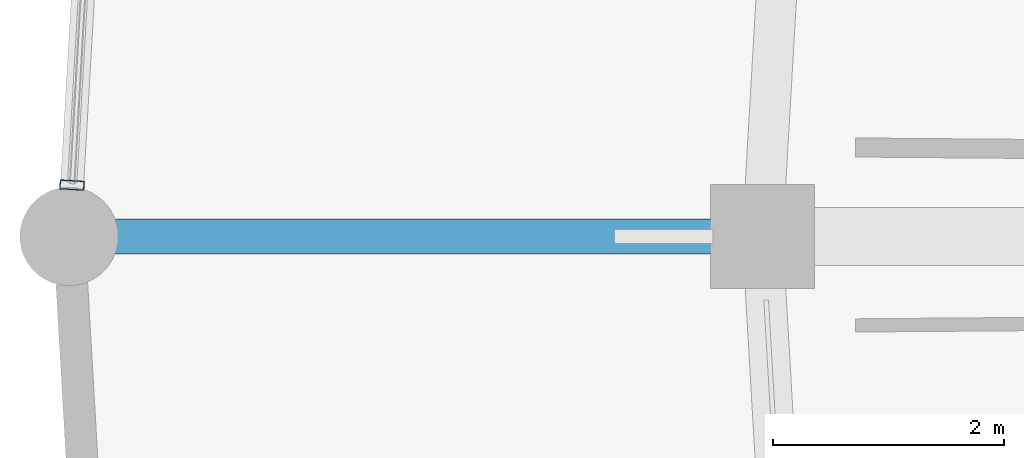
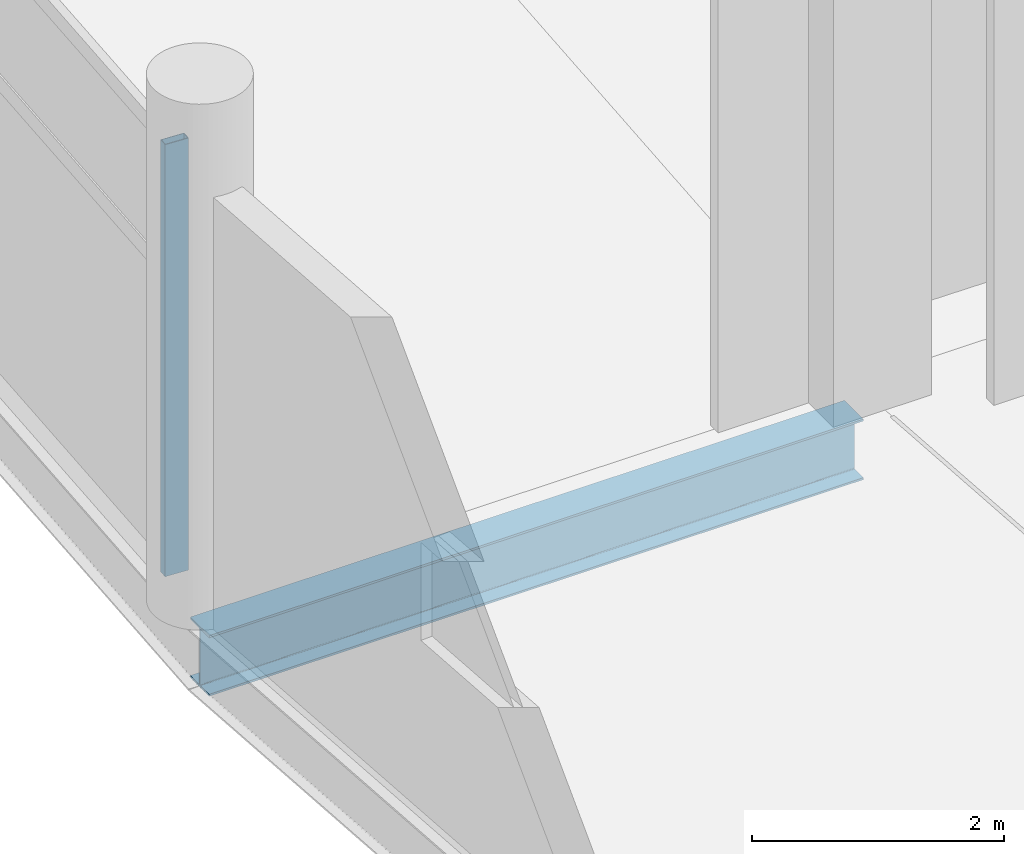
# One storey, part 36 of 184: 1 beam, 1 member, 1 element without a shape of its own.
"""IFC4 building model written with IfcOpenShell, lengths in metres."""

from ifc_helpers import new_model, si_unit, direction, frame, origin, origin_2d, place, context, subcontext, project, spatial, hollow_rectangle, i_section, extrude, material, layer, layer_set, material_profile, profile_set, type_object, element, aggregate, save


model = new_model("IFC4")

# Units and contexts
model_context = context("Model", 3, precision=1e-05, world=origin(), true_north=direction((0.0, 1.0)))
body_context = subcontext(model_context, "Body", "Model", "MODEL_VIEW")
ifc_project = project(units=[si_unit("LENGTHUNIT", "METRE"), si_unit("AREAUNIT", "SQUARE_METRE"), si_unit("VOLUMEUNIT", "CUBIC_METRE"), si_unit("PLANEANGLEUNIT", "RADIAN"), si_unit("MASSUNIT", "GRAM", prefix="KILO")], contexts=[model_context])

# Site, building, storey
site_placement = place(None, origin())
site = spatial("IfcSite", under=ifc_project, at=site_placement, CompositionType="ELEMENT")
building_placement = place(site_placement, origin())
building = spatial("IfcBuilding", under=site, at=building_placement, Name="Kazemori Nagisa Stadium", CompositionType="ELEMENT")
storey_placement = place(building_placement, frame((0.0, 0.0, 10.5400390625)))
storey = spatial("IfcBuildingStorey", under=building, at=storey_placement, Name="L02", CompositionType="ELEMENT", Elevation=10.5400390625)

# Beam
ifc_material_1 = material(Name="Steel SN490B", Category="steel")
ifc_material_profile_1 = material_profile(ifc_material_1, i_section(OverallWidth=0.300048828125, OverallDepth=0.587890625, WebThickness=0.011962890625, FlangeThickness=0.02001953125, FilletRadius=0.012939453125, at=origin_2d()), Name="H-588x300x12x20")
ifc_profile_set_1 = profile_set([ifc_material_profile_1], Name="Steel SN490B")
beam_type = type_object("IfcBeamType", Name="Beam_BG-H588", PredefinedType="BEAM", material=ifc_profile_set_1)
beam_placement = place(storey_placement, frame((28.0, 102.0, -0.553955078125), z_axis=(-1.0, 0.0, 0.0), x_axis=(0.0, -1.0, 0.0)))
element("IfcBeam", 1, at=beam_placement, inside=storey, type_object=beam_type, Name="Boulevard radial girder BG-H588 L02 R4-15", PredefinedType="BEAM", context=body_context, shape_type="SweptSolid", body=[
    extrude(i_section(OverallWidth=0.300048828125, OverallDepth=0.587890625, WebThickness=0.011962890625, FlangeThickness=0.02001953125, FilletRadius=0.012939453125, at=origin_2d()), origin(), (0.0, 0.0, 1.0), 6.0),
])

# Curtain wall, member
ifc_material_2 = material(Name="Anodised aluminium 6063-T5", Category="aluminium")
ifc_layer = layer(ifc_material_2, 0.2099609375, Name="Anodised aluminium 6063-T5", Category="aluminium")
ifc_layer_set = layer_set([ifc_layer], Name="Anodised aluminium 6063-T5")
curtain_wall_type = type_object("IfcCurtainWallType", Name="CW_L02R3_93", PredefinedType="USERDEFINED", material=ifc_layer_set)
curtain_wall_placement = place(storey_placement, origin())
curtain_wall = element("IfcCurtainWall", 2, at=curtain_wall_placement, inside=storey, type_object=curtain_wall_type, Name="Unitised curtain wall CW-L02R3-93 L02", ObjectType="UNITISED CURTAIN WALL", PredefinedType="USERDEFINED")
ifc_material_3 = material(Name="Aluminium 6063-T5 anodised", Category="aluminium")
ifc_material_profile_2 = material_profile(ifc_material_3, hollow_rectangle(XDim=0.080078125, YDim=0.2099609375, WallThickness=0.0048828125, at=origin_2d()), Name="ALU-MULL-80x210x5")
ifc_profile_set_2 = profile_set([ifc_material_profile_2], Name="Aluminium 6063-T5 anodised")
member_type = type_object("IfcMemberType", Name="Mullion_M02", PredefinedType="MULLION", material=ifc_profile_set_2)
member_placement = place(storey_placement, frame((22.025634765625, 102.4443359375, 0.0), z_axis=(0.0, 0.0, 1.0), x_axis=(-0.057601670941, -0.998339645364, 0.0)))
member = element("IfcMember", 3, at=member_placement, type_object=member_type, Name="Curtain wall mullion CW-L02R3-93-M4", PredefinedType="MULLION", context=body_context, shape_type="SweptSolid", body=[
    extrude(hollow_rectangle(XDim=0.080078125, YDim=0.2099609375, WallThickness=0.0048828125, at=origin_2d()), origin(), (0.0, 0.0, 1.0), 4.18994140625),
])
aggregate(curtain_wall, [member])

save(model, "model.ifc")
